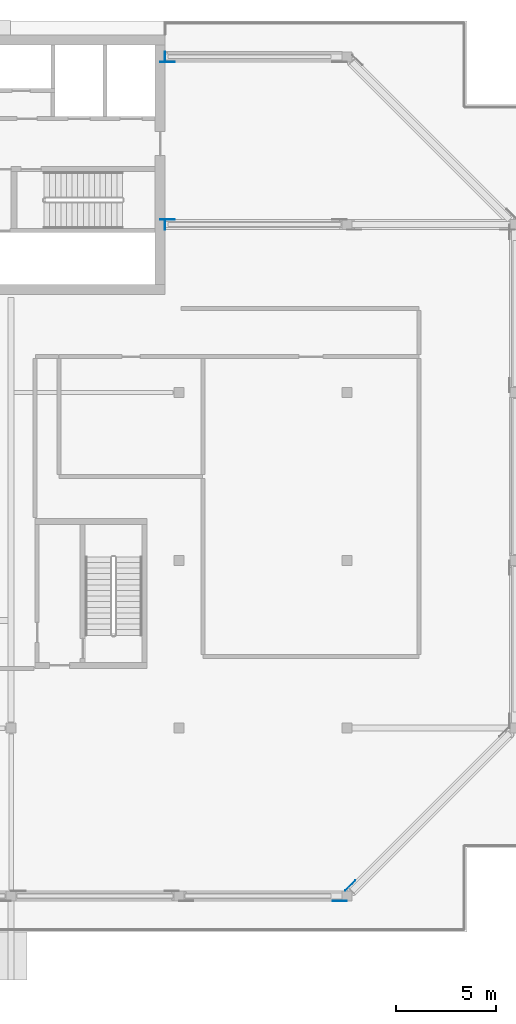
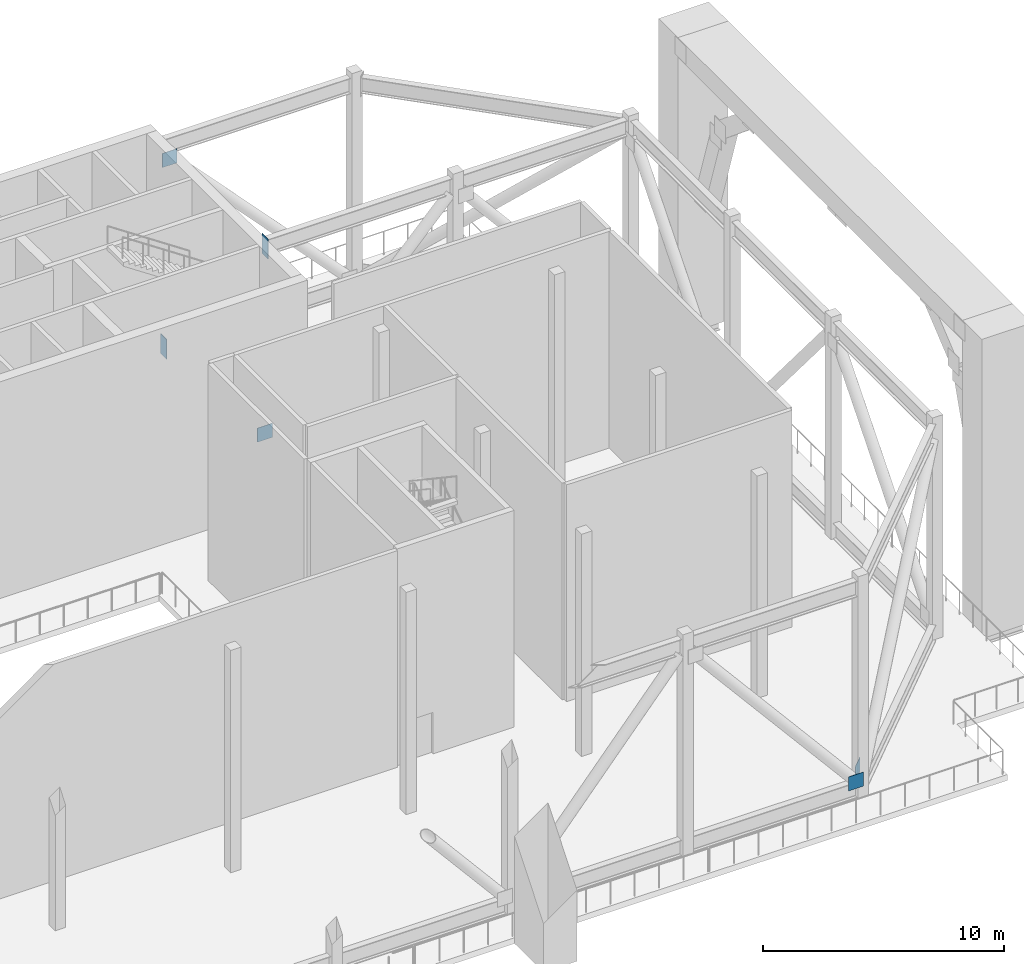
# One storey, part 14 of 20: 6 discrete accessories.
"""IFC4 building model written with IfcOpenShell, lengths in metres."""

from ifc_helpers import new_model, si_unit, direction, frame, origin, origin_2d, place, context, subcontext, project, spatial, rectangle, extrude, element, save


model = new_model("IFC4")

# Units and contexts
model_context = context("Model", 3, precision=1e-05, world=origin(), true_north=direction((0.0, 1.0)))
body_context = subcontext(model_context, "Body", "Model", "MODEL_VIEW")
ifc_project = project(units=[si_unit("LENGTHUNIT", "METRE"), si_unit("AREAUNIT", "SQUARE_METRE"), si_unit("VOLUMEUNIT", "CUBIC_METRE"), si_unit("PLANEANGLEUNIT", "RADIAN"), si_unit("MASSUNIT", "GRAM", prefix="KILO")], contexts=[model_context])

# Site, building, storey
site_placement = place(None, origin())
site = spatial("IfcSite", under=ifc_project, at=site_placement, CompositionType="ELEMENT")
building_placement = place(site_placement, origin())
building = spatial("IfcBuilding", under=site, at=building_placement, Name="Saffron Gate Tower", CompositionType="ELEMENT")
storey_placement = place(building_placement, frame((0.0, 0.0, 252.300048828125)))
storey = spatial("IfcBuildingStorey", under=building, at=storey_placement, Name="L62", CompositionType="ELEMENT", Elevation=252.300048828125)

# Discrete accessories
for number, where, z_axis, x_axis, name in (
    (1, (116.635498046875, 31.5458984375, 0.580322265625), (0.0, 0.0, 1.0), (-1.0, 0.0, 0.0), "GUSSET PLATE"),
    (2, (117.166748046875, 32.325927734375, 0.558837890625), (0.0, 0.0, 1.0), (0.707106781187, 0.707106781187, 0.0), "GUSSET PLATE"),
    (3, (108.022216796875, 65.654052734375, 0.57373046875), (0.0, 0.0, 1.0), (1.0, 0.0, 0.0), "GUSSET PLATE"),
    (4, (108.022216796875, 73.5458984375, 9.685302734375), (0.0, 0.0, 1.0), (-1.0, 0.0, 0.0), "GUSSET PLATE"),
):
    element("IfcDiscreteAccessory", number, at=place(storey_placement, frame(where, z_axis=z_axis, x_axis=x_axis)), inside=storey, Name=name, ObjectType="GUSSET PLATE", PredefinedType="USERDEFINED", context=body_context, shape_type="SweptSolid", body=[
        extrude(rectangle(XDim=0.7109375, YDim=0.02001953125, at=origin_2d()), origin(), (0.0, 0.0, 1.0), 0.7109375),
    ])
for number, where, z_axis, x_axis, name in (
    (5, (107.889892578125, 65.39990234375, 10.070068359375), (0.0, 0.0, 1.0), (-1.0, 0.0, 0.0), "OUTRIGGER CAST-IN PLATE"),
    (6, (107.889892578125, 73.800048828125, -0.10009765625), (0.0, 0.0, 1.0), (-1.0, 0.0, 0.0), "OUTRIGGER CAST-IN PLATE"),
):
    element("IfcDiscreteAccessory", number, at=place(storey_placement, frame(where, z_axis=z_axis, x_axis=x_axis)), inside=storey, Name=name, ObjectType="OUTRIGGER CAST-IN PLATE", PredefinedType="USERDEFINED", context=body_context, shape_type="SweptSolid", body=[
        extrude(rectangle(XDim=0.02001953125, YDim=0.5, at=origin_2d()), origin(), (0.0, 0.0, 1.0), 1.0),
    ])

save(model, "model.ifc")
